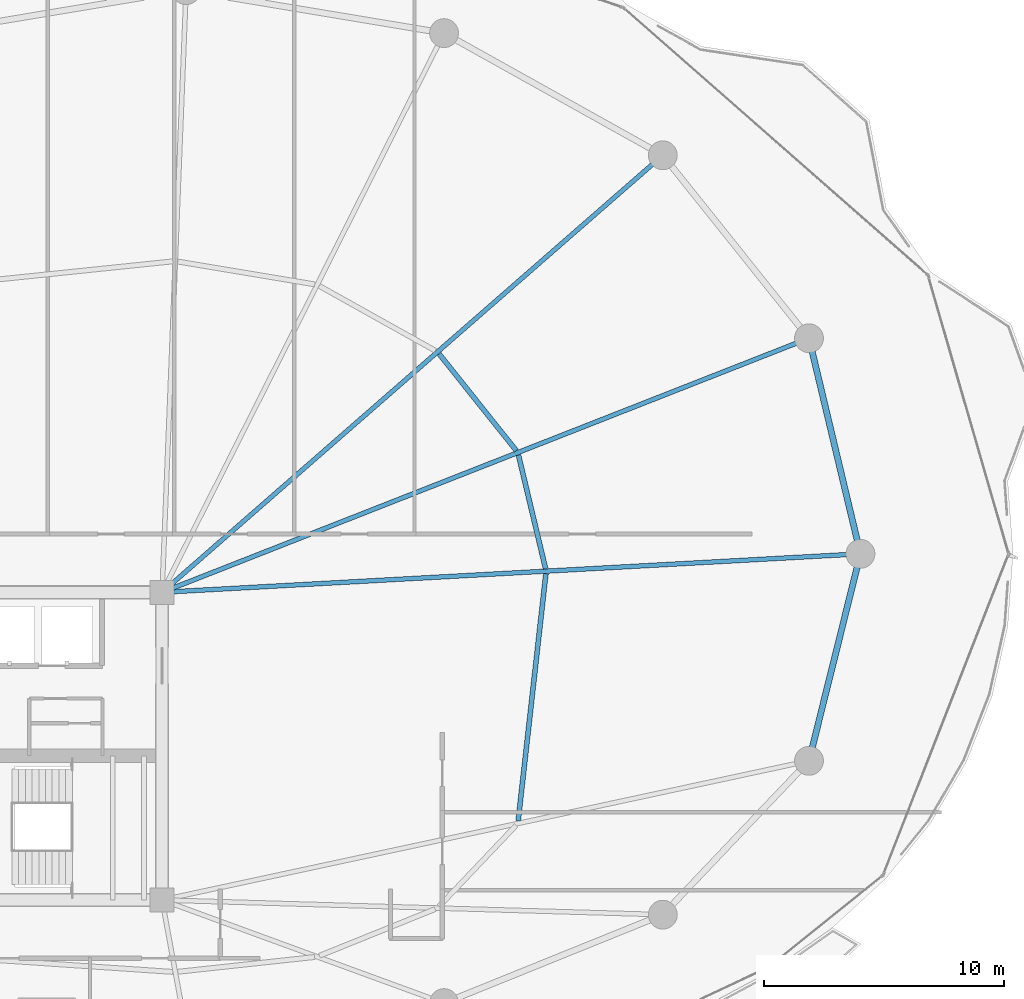
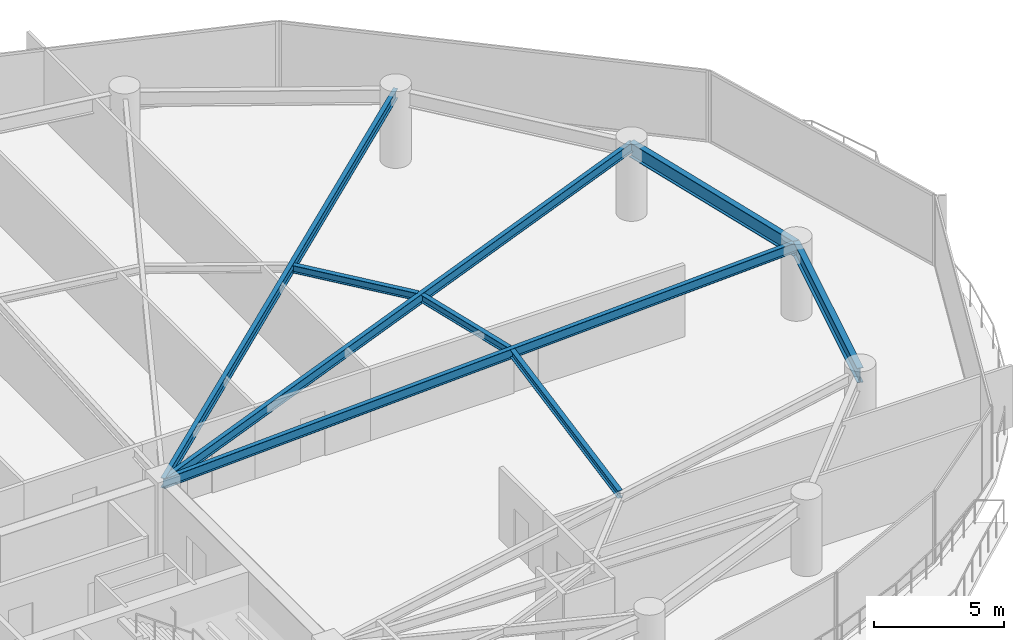
# One storey, part 16 of 34: 8 beams.
"""IFC4 building model written with IfcOpenShell, lengths in metres."""

from ifc_helpers import new_model, si_unit, direction, frame, origin, origin_2d, place, context, subcontext, project, spatial, i_section, extrude, material, material_profile, profile_set, type_object, element, save


model = new_model("IFC4")

# Units and contexts
model_context = context("Model", 3, precision=1e-05, world=origin(), true_north=direction((0.0, 1.0)))
body_context = subcontext(model_context, "Body", "Model", "MODEL_VIEW")
ifc_project = project(units=[si_unit("LENGTHUNIT", "METRE"), si_unit("AREAUNIT", "SQUARE_METRE"), si_unit("VOLUMEUNIT", "CUBIC_METRE"), si_unit("PLANEANGLEUNIT", "RADIAN"), si_unit("MASSUNIT", "GRAM", prefix="KILO")], contexts=[model_context])

# Site, building, storey
site_placement = place(None, origin())
site = spatial("IfcSite", under=ifc_project, at=site_placement, CompositionType="ELEMENT")
building_placement = place(site_placement, origin())
building = spatial("IfcBuilding", under=site, at=building_placement, Name="Kazevale Care Tower and Concert Hall", CompositionType="ELEMENT")
storey_placement = place(building_placement, frame((0.0, 0.0, 156.60009765625)))
storey = spatial("IfcBuildingStorey", under=building, at=storey_placement, Name="L41", CompositionType="ELEMENT", Elevation=156.60009765625)

# Beams
ifc_material = material(Name="Steel ASTM A572 Gr 50", Category="steel")
ifc_material_profile_1 = material_profile(ifc_material, i_section(OverallWidth=0.19091796875, OverallDepth=0.4599609375, WebThickness=0.010009765625, FlangeThickness=0.01611328125, at=origin_2d()), Name="W460x82")
ifc_profile_set_1 = profile_set([ifc_material_profile_1], Name="Steel ASTM A572 Gr 50")
beam_type_1 = type_object("IfcBeamType", Name="Radial Floor Beam W460x82", PredefinedType="BEAM", material=ifc_profile_set_1)
beam_1_placement = place(storey_placement, frame((44.0, 36.39990234375, 3.1298828125), z_axis=(0.998486500016, 0.054997357076, 0.0), x_axis=(-0.054997357076, 0.998486500016, 0.0)))
element("IfcBeam", 1, at=beam_1_placement, inside=storey, type_object=beam_type_1, Name="beam:L41:rad:01", PredefinedType="BEAM", context=body_context, shape_type="SweptSolid", body=[
    extrude(i_section(OverallWidth=0.19091796875, OverallDepth=0.4599609375, WebThickness=0.010009765625, FlangeThickness=0.01611328125, at=origin_2d()), origin(), (0.0, 0.0, 1.0), 29.093994140625),
])
beam_2_placement = place(storey_placement, frame((44.0, 36.39990234375, 3.1298828125), z_axis=(0.930771301513, 0.36560194786, 0.0), x_axis=(-0.36560194786, 0.930771301513, 0.0)))
element("IfcBeam", 2, at=beam_2_placement, inside=storey, type_object=beam_type_1, Name="beam:L41:rad:02", PredefinedType="BEAM", context=body_context, shape_type="SweptSolid", body=[
    extrude(i_section(OverallWidth=0.19091796875, OverallDepth=0.4599609375, WebThickness=0.010009765625, FlangeThickness=0.01611328125, at=origin_2d()), origin(), (0.0, 0.0, 1.0), 28.911376953125),
])
beam_3_placement = place(storey_placement, frame((44.0, 36.39990234375, 3.1298828125), z_axis=(0.753403181998, 0.657558853149, 0.0), x_axis=(-0.657558853149, 0.753403181998, 0.0)))
element("IfcBeam", 3, at=beam_3_placement, inside=storey, type_object=beam_type_1, Name="beam:L41:rad:03", PredefinedType="BEAM", context=body_context, shape_type="SweptSolid", body=[
    extrude(i_section(OverallWidth=0.19091796875, OverallDepth=0.4599609375, WebThickness=0.010009765625, FlangeThickness=0.01611328125, at=origin_2d()), origin(), (0.0, 0.0, 1.0), 27.64794921875),
])
ifc_material_profile_2 = material_profile(ifc_material, i_section(OverallWidth=0.205078125, OverallDepth=0.35400390625, WebThickness=0.009521484375, FlangeThickness=0.016845703125, at=origin_2d()), Name="W360x79")
ifc_profile_set_2 = profile_set([ifc_material_profile_2], Name="Steel ASTM A572 Gr 50")
beam_type_2 = type_object("IfcBeamType", Name="Secondary Floor Joist W360x79", PredefinedType="JOIST", material=ifc_profile_set_2)
beam_4_placement = place(storey_placement, frame((59.952880859375, 37.382080078125, 3.182861328125), z_axis=(-0.232005223279, 0.972714540023, 0.0), x_axis=(-0.972714540023, -0.232005223279, 0.0)))
element("IfcBeam", 4, at=beam_4_placement, inside=storey, type_object=beam_type_2, Name="beam:L41:joist:01", PredefinedType="JOIST", context=body_context, shape_type="SweptSolid", body=[
    extrude(i_section(OverallWidth=0.205078125, OverallDepth=0.35400390625, WebThickness=0.009521484375, FlangeThickness=0.016845703125, at=origin_2d()), origin(), (0.0, 0.0, 1.0), 4.861572265625),
])
beam_5_placement = place(storey_placement, frame((58.735107421875, 42.2958984375, 3.182861328125), z_axis=(-0.624261115922, 0.781215757104, 0.0), x_axis=(-0.781215757104, -0.624261115922, 0.0)))
element("IfcBeam", 5, at=beam_5_placement, inside=storey, type_object=beam_type_2, Name="beam:L41:joist:02", PredefinedType="JOIST", context=body_context, shape_type="SweptSolid", body=[
    extrude(i_section(OverallWidth=0.205078125, OverallDepth=0.35400390625, WebThickness=0.009521484375, FlangeThickness=0.016845703125, at=origin_2d()), origin(), (0.0, 0.0, 1.0), 5.147216796875),
])
beam_6_placement = place(storey_placement, frame((58.81201171875, 26.888916015625, 3.182861328125), z_axis=(0.111485011105, 0.993766115491, 0.0), x_axis=(-0.993766115491, 0.111485011105, 0.0)))
element("IfcBeam", 6, at=beam_6_placement, inside=storey, type_object=beam_type_2, Name="beam:L41:joist:16", PredefinedType="JOIST", context=body_context, shape_type="SweptSolid", body=[
    extrude(i_section(OverallWidth=0.205078125, OverallDepth=0.35400390625, WebThickness=0.009521484375, FlangeThickness=0.016845703125, at=origin_2d()), origin(), (0.0, 0.0, 1.0), 10.3515625),
])
ifc_material_profile_3 = material_profile(ifc_material, i_section(OverallWidth=0.256103515625, OverallDepth=0.693115234375, WebThickness=0.014404296875, FlangeThickness=0.023681640625, at=origin_2d()), Name="W690x170")
ifc_profile_set_3 = profile_set([ifc_material_profile_3], Name="Steel ASTM A572 Gr 50")
beam_type_3 = type_object("IfcBeamType", Name="Waist Ring Beam W690x170", PredefinedType="BEAM", material=ifc_profile_set_3)
beam_7_placement = place(storey_placement, frame((73.050048828125, 38.0, 3.013427734375), z_axis=(-0.232075055882, 0.972697881378, 0.0), x_axis=(-0.972697881378, -0.232075055882, 0.0)))
element("IfcBeam", 7, at=beam_7_placement, inside=storey, type_object=beam_type_3, Name="beam:L41:ring:01", PredefinedType="BEAM", context=body_context, shape_type="SweptSolid", body=[
    extrude(i_section(OverallWidth=0.256103515625, OverallDepth=0.693115234375, WebThickness=0.014404296875, FlangeThickness=0.023681640625, at=origin_2d()), origin(), (0.0, 0.0, 1.0), 9.2216796875),
])
beam_8_placement = place(storey_placement, frame((70.909912109375, 29.389892578125, 3.013427734375), z_axis=(0.241221022882, 0.970470204653, 0.0), x_axis=(-0.970470204653, 0.241221022882, 0.0)))
element("IfcBeam", 8, at=beam_8_placement, inside=storey, type_object=beam_type_3, Name="beam:L41:ring:16", PredefinedType="BEAM", context=body_context, shape_type="SweptSolid", body=[
    extrude(i_section(OverallWidth=0.256103515625, OverallDepth=0.693115234375, WebThickness=0.014404296875, FlangeThickness=0.023681640625, at=origin_2d()), origin(), (0.0, 0.0, 1.0), 8.8720703125),
])

save(model, "model.ifc")
